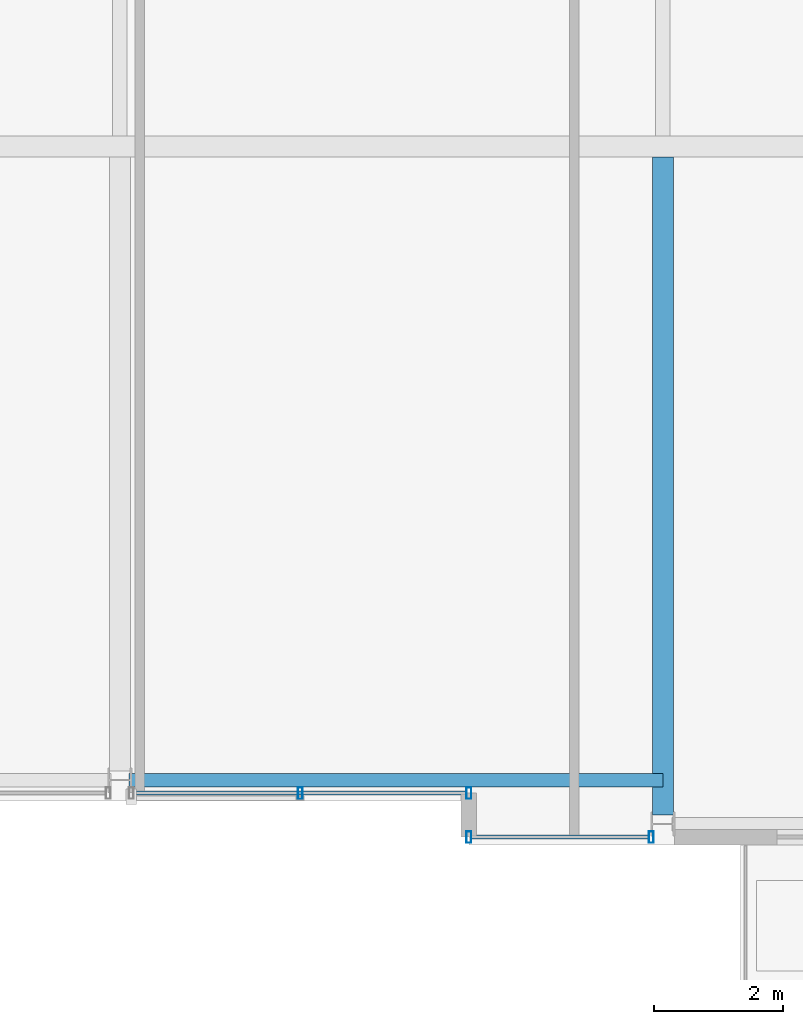
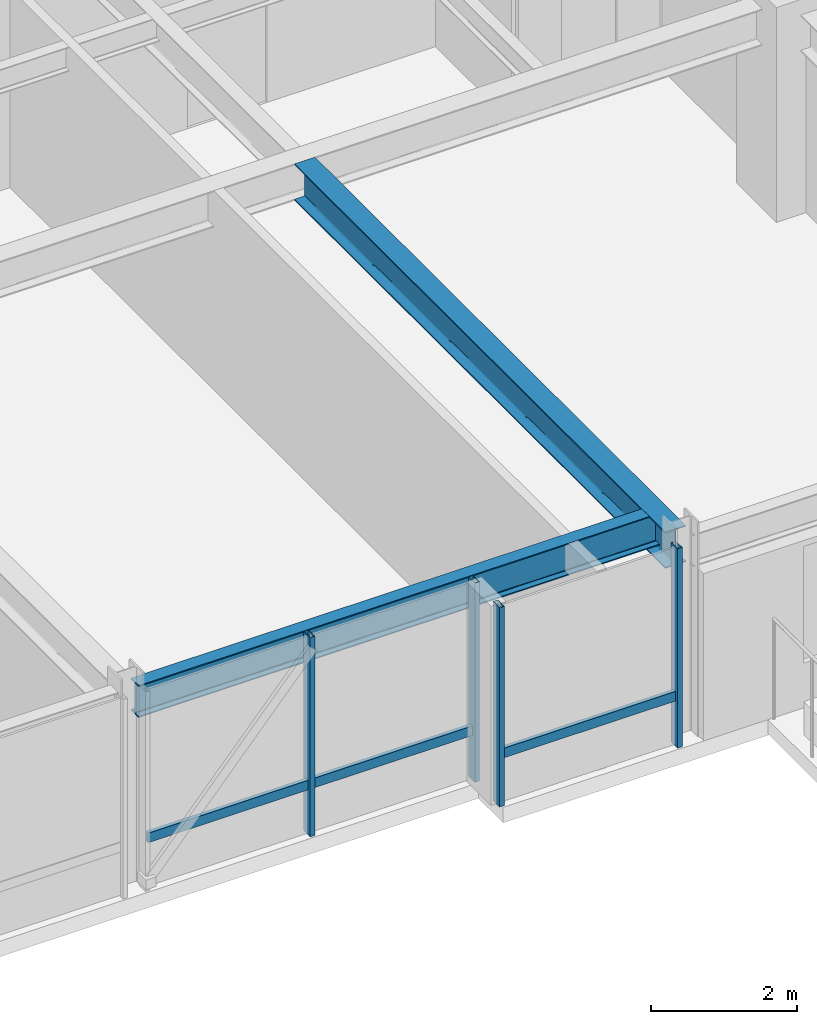
# One storey, part 8 of 32: 6 members, 2 beams, 2 elements without a shape of their own.
"""IFC4 building model written with IfcOpenShell, lengths in metres."""

import ifcopenshell
import ifcopenshell.guid

model = None  # the IFC model being written
_history = None  # IfcOwnerHistory: only IFC2X3 demands one
_inside = {}  # id of a spatial element -> (the spatial element, [elements in it])
_under = {}  # id of a project, library or spatial element -> (it, [spatial elements below it])
_declared = {}  # id of a project -> (the project, [libraries it declares])
_typed = {}  # id of a type object -> (the type object, [elements of that type])
_made_of = {}  # id of a material, layer set ... -> (it, [elements and type objects made of it])


def new_model(schema):
    """Start an empty IFC model of exactly this schema.

    Asked for "IFC4X3", IfcOpenShell would pick the latest addendum, in which some entities
    have other attributes; the version numbers below select the first issue.
    IFC2X3 requires an IfcOwnerHistory on every rooted entity: one is made here for all.
    """
    global model, _history
    if schema == "IFC4X3":
        model = ifcopenshell.file(schema_version=(4, 3, 0, 0))
    else:
        model = ifcopenshell.file(schema=schema)
    _inside.clear()
    _under.clear()
    _declared.clear()
    _typed.clear()
    _made_of.clear()
    _history = None
    if model.schema == "IFC2X3":
        org = make("IfcOrganization", Name="unknown")
        user = make(
            "IfcPersonAndOrganization",
            ThePerson=make("IfcPerson", FamilyName="unknown"),
            TheOrganization=org,
        )
        app = make(
            "IfcApplication",
            ApplicationDeveloper=org,
            Version="unknown",
            ApplicationFullName="unknown",
            ApplicationIdentifier="unknown",
        )
        _history = make(
            "IfcOwnerHistory",
            OwningUser=user,
            OwningApplication=app,
            ChangeAction="ADDED",
            CreationDate=0,
        )
    return model


def make(cls, **values):
    """One entity of the class cls with the attributes given. An attribute that is None is left unset."""
    return model.create_entity(
        cls, **{name: value for name, value in values.items() if value is not None}
    )


def rooted(cls, **values):
    """An entity with a GlobalId (a new one), such as an element, a storey or a relation."""
    return make(cls, GlobalId=ifcopenshell.guid.new(), OwnerHistory=_history, **values)


def si_unit(unit_type, name, prefix=None):
    """IfcSIUnit, for example si_unit("LENGTHUNIT", "METRE", prefix="MILLI")."""
    return make("IfcSIUnit", UnitType=unit_type, Prefix=prefix, Name=name)


def assignment(units):
    """IfcUnitAssignment: the units of a project."""
    return None if units is None else make("IfcUnitAssignment", Units=units)


def point(xyz):
    """IfcCartesianPoint."""
    return None if xyz is None else make("IfcCartesianPoint", Coordinates=xyz)


def direction(xyz):
    """IfcDirection."""
    return None if xyz is None else make("IfcDirection", DirectionRatios=xyz)


def frame(location, z_axis=None, x_axis=None):
    """IfcAxis2Placement3D, a coordinate frame: its origin and axes. An axis left out is left unset."""
    return make(
        "IfcAxis2Placement3D",
        Location=point(location),
        Axis=direction(z_axis),
        RefDirection=direction(x_axis),
    )


def frame_2d(location, x_axis=None):
    """IfcAxis2Placement2D, a coordinate frame in the plane: its origin and x axis."""
    return make(
        "IfcAxis2Placement2D", Location=point(location), RefDirection=direction(x_axis)
    )


def origin():
    """The frame at (0, 0, 0) with its axes left unset."""
    return frame((0.0, 0.0, 0.0))


def origin_2d():
    """The frame at (0, 0) in the plane with its x axis left unset."""
    return frame_2d((0.0, 0.0))


def place(relative_to, where):
    """IfcLocalPlacement: puts the frame where relative to a parent placement (None: the world)."""
    return make(
        "IfcLocalPlacement", PlacementRelTo=relative_to, RelativePlacement=where
    )


def context(
    kind, dimensions, precision=None, world=None, true_north=None, identifier=None
):
    """IfcGeometricRepresentationContext, for example the 3D "Model" context."""
    return make(
        "IfcGeometricRepresentationContext",
        ContextIdentifier=identifier,
        ContextType=kind,
        CoordinateSpaceDimension=dimensions,
        Precision=precision,
        WorldCoordinateSystem=world,
        TrueNorth=true_north,
    )


def subcontext(parent, identifier, kind, view, scale=None):
    """IfcGeometricRepresentationSubContext, for example "Body" below "Model"."""
    return make(
        "IfcGeometricRepresentationSubContext",
        ContextIdentifier=identifier,
        ContextType=kind,
        ParentContext=parent,
        TargetScale=scale,
        TargetView=view,
    )


def project(units=None, contexts=None):
    """IfcProject with its units and contexts."""
    return rooted(
        "IfcProject",
        Name="project",
        RepresentationContexts=contexts,
        UnitsInContext=assignment(units),
    )


def spatial(cls, under=None, at=None, **own):
    """A site, building, storey or space (cls), placed at a placement, below another one or the project."""
    s = rooted(cls, ObjectPlacement=at, **own)
    if under is not None:
        _under.setdefault(under.id(), (under, []))[1].append(s)
    return s


def profile(cls, at=None, kind="AREA", **sizes):
    """A parametric profile (cls). Its sizes go by their IFC names, for example OverallWidth=200.0."""
    return make(cls, ProfileType=kind, Position=at, **sizes)


def hollow_rectangle(**sizes):
    """IfcRectangleHollowProfileDef."""
    return profile("IfcRectangleHollowProfileDef", **sizes)


def i_section(**sizes):
    """IfcIShapeProfileDef."""
    return profile("IfcIShapeProfileDef", **sizes)


def extrude(swept, where, along, depth):
    """IfcExtrudedAreaSolid: the profile swept, set in the frame where, extruded along a direction by depth."""
    return make(
        "IfcExtrudedAreaSolid",
        SweptArea=swept,
        Position=where,
        ExtrudedDirection=direction(along),
        Depth=depth,
    )


def shape(context_of_items, identifier, shape_type, items):
    """IfcShapeRepresentation: the items that make up one representation, for example the "Body"."""
    return make(
        "IfcShapeRepresentation",
        ContextOfItems=context_of_items,
        RepresentationIdentifier=identifier,
        RepresentationType=shape_type,
        Items=items,
    )


def material(Name=None, Category=None):
    """IfcMaterial."""
    return make("IfcMaterial", Name=Name, Category=Category)


def layer(
    of_material, thickness, ventilated=None, Name=None, Category=None, Priority=None
):
    """IfcMaterialLayer: one layer of a wall or slab, of a material (None: an air gap)."""
    return make(
        "IfcMaterialLayer",
        Material=of_material,
        LayerThickness=thickness,
        IsVentilated=ventilated,
        Name=Name,
        Category=Category,
        Priority=Priority,
    )


def layer_set(layers, Name=None):
    """IfcMaterialLayerSet."""
    return make("IfcMaterialLayerSet", MaterialLayers=layers, LayerSetName=Name)


def material_profile(
    of_material, cross_section, Name=None, Category=None, Priority=None
):
    """IfcMaterialProfile: a cross section and its material."""
    return make(
        "IfcMaterialProfile",
        Name=Name,
        Material=of_material,
        Profile=cross_section,
        Priority=Priority,
        Category=Category,
    )


def profile_set(profiles, Name=None, composite=None):
    """IfcMaterialProfileSet."""
    return make(
        "IfcMaterialProfileSet",
        Name=Name,
        MaterialProfiles=profiles,
        CompositeProfile=composite,
    )


def made_of(thing, what):
    """Note that an element or type object is made of a material, layer set ...; save() writes the relation."""
    if what is not None:
        _made_of.setdefault(what.id(), (what, []))[1].append(thing)
    return thing


def type_object(cls, material=None, **own):
    """A type object (cls), such as IfcWallType, which elements share."""
    return made_of(rooted(cls, **own), material)


def element(
    cls,
    number,
    at=None,
    inside=None,
    cuts=None,
    type_object=None,
    material=None,
    context=None,
    identifier="Body",
    shape_type=None,
    held_by="IfcProductDefinitionShape",
    body=None,
    shapes=None,
    **own,
):
    """One element of the class cls, such as IfcWall. Its Tag is "e" and its number.

    at: its placement. inside: the storey or other place that contains it. cuts: it is an
    opening in that element (IfcRelVoidsElement). A single representation is given by context,
    identifier, shape_type and body (its items); several are given by shapes. held_by: the class
    of the entity that holds the representations. save() writes the other relations.
    """
    e = rooted(cls, Tag="e%d" % number, ObjectPlacement=at, **own)
    if body is not None:
        shapes = [shape(context, identifier, shape_type, body)]
    if shapes is not None:
        e.Representation = make(held_by, Representations=shapes)
    if inside is not None:
        _inside.setdefault(inside.id(), (inside, []))[1].append(e)
    if cuts is not None:
        rooted(
            "IfcRelVoidsElement", RelatingBuildingElement=cuts, RelatedOpeningElement=e
        )
    if type_object is not None:
        _typed.setdefault(type_object.id(), (type_object, []))[1].append(e)
    return made_of(e, material)


def aggregate(whole, parts):
    """IfcRelAggregates: a whole, such as a stair, and the parts it consists of."""
    return rooted("IfcRelAggregates", RelatingObject=whole, RelatedObjects=parts)


def save(model, path):
    """Write the relations noted so far, then the file.

    IfcRelAggregates (storeys below a building ...), IfcRelContainedInSpatialStructure (elements
    in a storey), IfcRelDefinesByType, IfcRelAssociatesMaterial and IfcRelDeclares: one each for
    every whole, place, type object, material and project.
    """
    for whole, parts in _under.values():
        aggregate(whole, parts)
    for where, things in _inside.values():
        rooted(
            "IfcRelContainedInSpatialStructure",
            RelatedElements=things,
            RelatingStructure=where,
        )
    for kind, things in _typed.values():
        rooted("IfcRelDefinesByType", RelatedObjects=things, RelatingType=kind)
    for what, things in _made_of.values():
        rooted("IfcRelAssociatesMaterial", RelatedObjects=things, RelatingMaterial=what)
    for by, libraries in _declared.values():
        rooted("IfcRelDeclares", RelatingContext=by, RelatedDefinitions=libraries)
    model.write(path)


model = new_model("IFC4")

# Units and contexts
model_context = context("Model", 3, precision=1e-05, world=origin(), true_north=direction((0.0, 1.0)))
body_context = subcontext(model_context, "Body", "Model", "MODEL_VIEW")
ifc_project = project(units=[si_unit("LENGTHUNIT", "METRE"), si_unit("AREAUNIT", "SQUARE_METRE"), si_unit("VOLUMEUNIT", "CUBIC_METRE"), si_unit("PLANEANGLEUNIT", "RADIAN"), si_unit("MASSUNIT", "GRAM", prefix="KILO")], contexts=[model_context])

# Site, building, storey
site_placement = place(None, origin())
site = spatial("IfcSite", under=ifc_project, at=site_placement, CompositionType="ELEMENT")
building_placement = place(site_placement, origin())
building = spatial("IfcBuilding", under=site, at=building_placement, Name="Drelvath Grand Hotel", CompositionType="ELEMENT")
storey_placement = place(building_placement, frame((0.0, 0.0, 241.10009765625)))
storey = spatial("IfcBuildingStorey", under=building, at=storey_placement, Name="L63", CompositionType="ELEMENT", Elevation=241.10009765625)

# Curtain wall, member
ifc_material_1 = material(Name="Platinum-Mist Anodised Aluminium Frame", Category="aluminium")
ifc_layer = layer(ifc_material_1, 0.199951171875)
ifc_layer_set = layer_set([ifc_layer], Name="Platinum-Mist Anodised Aluminium Frame")
curtain_wall_type = type_object("IfcCurtainWallType", Name="Stick Curtain Wall CW-05 Platinum Mist High-Rise", PredefinedType="NOTDEFINED", material=ifc_layer_set)
curtain_wall_1_placement = place(storey_placement, origin())
curtain_wall_1 = element("IfcCurtainWall", 1, at=curtain_wall_1_placement, inside=storey, type_object=curtain_wall_type, Name="L63 CW-05 Curtain Wall CW05-L63-SE1", PredefinedType="NOTDEFINED")
ifc_material_profile_1 = material_profile(ifc_material_1, hollow_rectangle(XDim=0.06494140625, YDim=0.159912109375, WallThickness=0.00390625, at=origin_2d()), Name="HSS160X65X4")
ifc_profile_set_1 = profile_set([ifc_material_profile_1], Name="Platinum-Mist Anodised Aluminium Frame")
member_type_1 = type_object("IfcMemberType", Name="Curtain Wall Horizontal Transom CW-05 HSS160X65X4", PredefinedType="USERDEFINED", material=ifc_profile_set_1)
member_1_placement = place(storey_placement, frame((8.181884765625, 0.1201171875, 0.8349609375), z_axis=(-1.0, 0.0, 0.0), x_axis=(0.0, -1.0, 0.0)))
member_1 = element("IfcMember", 2, at=member_1_placement, type_object=member_type_1, Name="CW05-L63-SE1 Sill Transom", ObjectType="TRANSOM", PredefinedType="USERDEFINED", context=body_context, shape_type="SweptSolid", body=[
    extrude(hollow_rectangle(XDim=0.06494140625, YDim=0.159912109375, WallThickness=0.00390625, at=origin_2d()), origin(), (0.0, 0.0, 1.0), 2.741943359375),
])

curtain_wall_2_placement = place(storey_placement, origin())
curtain_wall_2 = element("IfcCurtainWall", 3, at=curtain_wall_2_placement, inside=storey, type_object=curtain_wall_type, Name="L63 CW-05 Curtain Wall CW05-L63-SM2", PredefinedType="NOTDEFINED")
member_2_placement = place(storey_placement, frame((5.360107421875, 0.800048828125, 0.8349609375), z_axis=(-1.0, 0.0, 0.0), x_axis=(0.0, -1.0, 0.0)))
member_2 = element("IfcMember", 4, at=member_2_placement, type_object=member_type_1, Name="CW05-L63-SM2 Sill Transom", ObjectType="TRANSOM", PredefinedType="USERDEFINED", context=body_context, shape_type="SweptSolid", body=[
    extrude(hollow_rectangle(XDim=0.06494140625, YDim=0.159912109375, WallThickness=0.00390625, at=origin_2d()), origin(), (0.0, 0.0, 1.0), 5.141845703125),
])

# Member
ifc_material_profile_2 = material_profile(ifc_material_1, hollow_rectangle(XDim=0.074951171875, YDim=0.179931640625, WallThickness=0.0048828125, at=origin_2d()), Name="HSS180X75X5")
ifc_profile_set_2 = profile_set([ifc_material_profile_2], Name="Platinum-Mist Anodised Aluminium Frame")
member_type_2 = type_object("IfcMemberType", Name="Curtain Wall Vertical Mullion CW-05 HSS180X75X5", PredefinedType="MULLION", material=ifc_profile_set_2)
member_3_placement = place(storey_placement, frame((8.2216796875, 0.1201171875, 0.0), z_axis=(0.0, 0.0, 1.0), x_axis=(1.0, 0.0, 0.0)))
member_3 = element("IfcMember", 5, at=member_3_placement, type_object=member_type_2, Name="CW05-L63-SE1 Mullion 1", PredefinedType="MULLION", context=body_context, shape_type="SweptSolid", body=[
    extrude(hollow_rectangle(XDim=0.074951171875, YDim=0.179931640625, WallThickness=0.0048828125, at=origin_2d()), origin(), (0.0, 0.0, 1.0), 3.33984375),
])

member_4_placement = place(storey_placement, frame((5.39990234375, 0.1201171875, 0.0), z_axis=(0.0, 0.0, 1.0), x_axis=(1.0, 0.0, 0.0)))
member_4 = element("IfcMember", 6, at=member_4_placement, type_object=member_type_2, Name="CW05-L63-SE1 Mullion 2", PredefinedType="MULLION", context=body_context, shape_type="SweptSolid", body=[
    extrude(hollow_rectangle(XDim=0.074951171875, YDim=0.179931640625, WallThickness=0.0048828125, at=origin_2d()), origin(), (0.0, 0.0, 1.0), 3.33984375),
])

aggregate(curtain_wall_1, [member_3, member_4, member_1])

member_5_placement = place(storey_placement, frame((5.39990234375, 0.800048828125, 0.0), z_axis=(0.0, 0.0, 1.0), x_axis=(1.0, 0.0, 0.0)))
member_5 = element("IfcMember", 7, at=member_5_placement, type_object=member_type_2, Name="CW05-L63-SM2 Mullion 1", PredefinedType="MULLION", context=body_context, shape_type="SweptSolid", body=[
    extrude(hollow_rectangle(XDim=0.074951171875, YDim=0.179931640625, WallThickness=0.0048828125, at=origin_2d()), origin(), (0.0, 0.0, 1.0), 3.33984375),
])

member_6_placement = place(storey_placement, frame((2.7890625, 0.800048828125, 0.0), z_axis=(0.0, 0.0, 1.0), x_axis=(1.0, 0.0, 0.0)))
member_6 = element("IfcMember", 8, at=member_6_placement, type_object=member_type_2, Name="CW05-L63-SM2 Mullion 2", PredefinedType="MULLION", context=body_context, shape_type="SweptSolid", body=[
    extrude(hollow_rectangle(XDim=0.074951171875, YDim=0.179931640625, WallThickness=0.0048828125, at=origin_2d()), origin(), (0.0, 0.0, 1.0), 3.33984375),
])

aggregate(curtain_wall_2, [member_5, member_6, member_2])

# Beams
ifc_material_2 = material(Name="Steel ASTM A992 Gr 50", Category="steel")
ifc_material_profile_3 = material_profile(ifc_material_2, i_section(OverallWidth=0.210205078125, OverallDepth=0.53662109375, WebThickness=0.010986328125, FlangeThickness=0.017333984375, FilletRadius=0.01806640625, at=origin_2d()), Name="W21X68")
ifc_profile_set_3 = profile_set([ifc_material_profile_3], Name="Steel ASTM A992 Gr 50")
beam_type_1 = type_object("IfcBeamType", Name="Perimeter Spandrel Beam W21X68", PredefinedType="SPANDREL", material=ifc_profile_set_3)
beam_1_placement = place(storey_placement, frame((0.139892578125, 1.0, 3.071533203125), z_axis=(1.0, 0.0, 0.0), x_axis=(0.0, 1.0, 0.0)))
element("IfcBeam", 9, at=beam_1_placement, inside=storey, type_object=beam_type_1, Name="L63 Spandrel South Mid E", PredefinedType="SPANDREL", context=body_context, shape_type="SweptSolid", body=[
    extrude(i_section(OverallWidth=0.210205078125, OverallDepth=0.53662109375, WebThickness=0.010986328125, FlangeThickness=0.017333984375, FilletRadius=0.01806640625, at=origin_2d()), origin(), (0.0, 0.0, 1.0), 8.260009765625),
])
ifc_material_profile_4 = material_profile(ifc_material_2, i_section(OverallWidth=0.323974609375, OverallDepth=0.611083984375, WebThickness=0.0126953125, FlangeThickness=0.01904296875, FilletRadius=0.02197265625, at=origin_2d()), Name="W24X104")
ifc_profile_set_4 = profile_set([ifc_material_profile_4], Name="Steel ASTM A992 Gr 50")
beam_type_2 = type_object("IfcBeamType", Name="Primary Floor Girder W24X104", PredefinedType="BEAM", material=ifc_profile_set_4)
beam_2_placement = place(storey_placement, frame((8.39990234375, 0.4599609375, 3.034423828125), z_axis=(0.0, 1.0, 0.0), x_axis=(-1.0, 0.0, 0.0)))
element("IfcBeam", 10, at=beam_2_placement, inside=storey, type_object=beam_type_2, Name="L63 South Wing Girder 6", PredefinedType="BEAM", context=body_context, shape_type="SweptSolid", body=[
    extrude(i_section(OverallWidth=0.323974609375, OverallDepth=0.611083984375, WebThickness=0.0126953125, FlangeThickness=0.01904296875, FilletRadius=0.02197265625, at=origin_2d()), origin(), (0.0, 0.0, 1.0), 10.177978515625),
])

save(model, "model.ifc")
